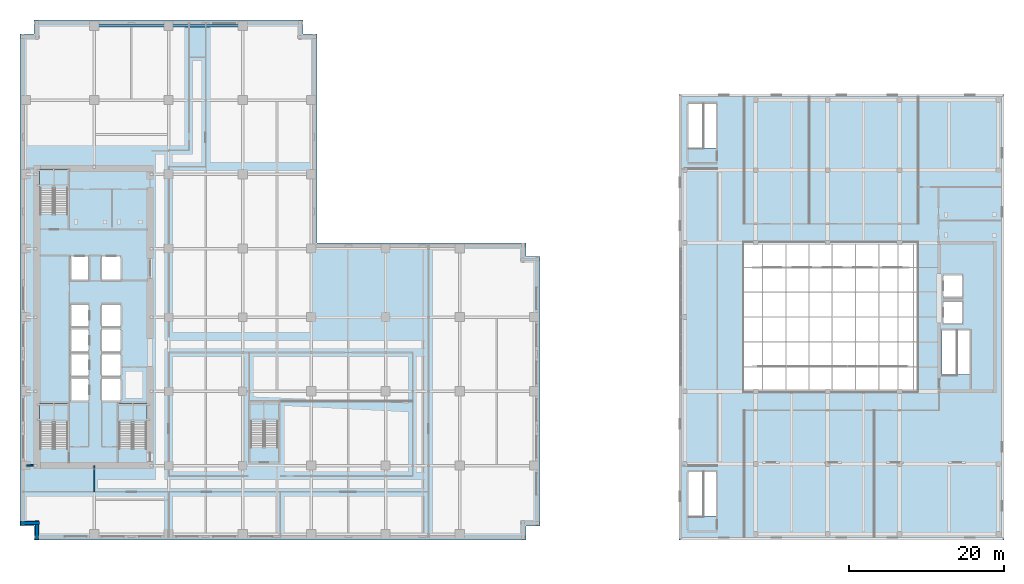
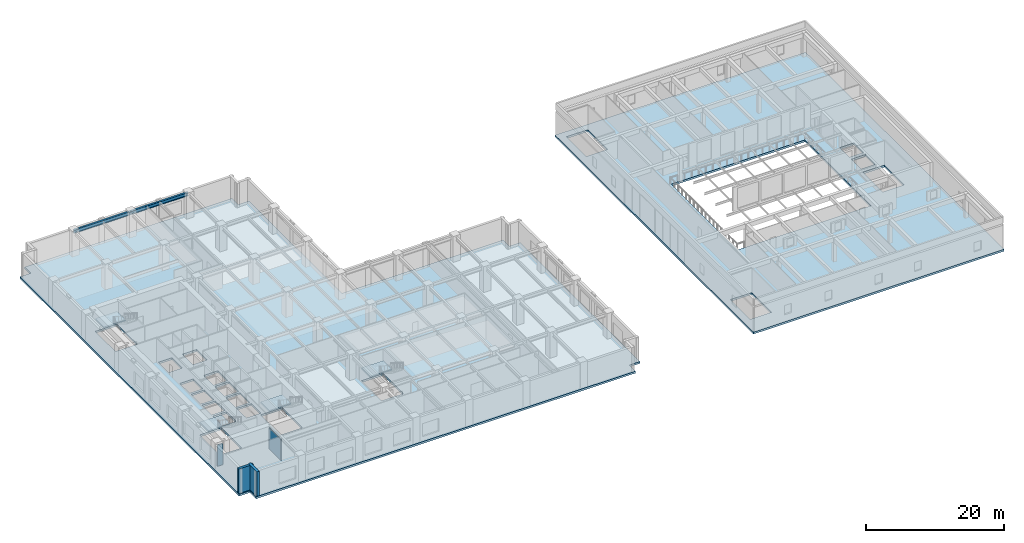
# One storey, part 4 of 21: 6 slabs, 4 walls, 2 beams, 4 elements without a shape of their own.
"""IFC4 building model written with IfcOpenShell, lengths in metres."""

from ifc_helpers import new_model, si_unit, direction, frame, frame_2d, origin, origin_2d, place, context, subcontext, project, spatial, polyline, rectangle, i_section, outline, extrude, material, layer, layer_set, material_profile, profile_set, type_object, element, aggregate, save


model = new_model("IFC4")

# Units and contexts
model_context = context("Model", 3, precision=1e-05, world=origin(), true_north=direction((0.0, 1.0)))
body_context = subcontext(model_context, "Body", "Model", "MODEL_VIEW")
ifc_project = project(units=[si_unit("LENGTHUNIT", "METRE"), si_unit("AREAUNIT", "SQUARE_METRE"), si_unit("VOLUMEUNIT", "CUBIC_METRE"), si_unit("PLANEANGLEUNIT", "RADIAN"), si_unit("MASSUNIT", "GRAM", prefix="KILO")], contexts=[model_context])

# Site, building, storey
site_placement = place(None, origin())
site = spatial("IfcSite", under=ifc_project, at=site_placement, CompositionType="ELEMENT")
building_placement = place(site_placement, origin())
building = spatial("IfcBuilding", under=site, at=building_placement, Name="Norrvale University Quadrangle", CompositionType="ELEMENT")
storey_placement = place(building_placement, frame((0.0, 0.0, 19.60009765625)))
storey = spatial("IfcBuildingStorey", under=building, at=storey_placement, Name="L04", CompositionType="ELEMENT", Elevation=19.60009765625)

# Beams
ifc_material_1 = material(Name="Steel 350W", Category="steel")
ifc_material_profile = material_profile(ifc_material_1, i_section(OverallWidth=0.324951171875, OverallDepth=0.615966796875, WebThickness=0.013916015625, FlangeThickness=0.021484375, FilletRadius=0.01611328125, at=origin_2d()), Name="Steel 350W")
ifc_profile_set = profile_set([ifc_material_profile], Name="Steel 350W")
beam_type = type_object("IfcBeamType", Name="Beam Belt W610x174", PredefinedType="BEAM", material=ifc_profile_set)
beam_1_placement = place(storey_placement, frame((9.60009765625, 66.449951171875, 4.031982421875), z_axis=(1.0, 0.0, 0.0), x_axis=(0.0, 1.0, 0.0)))
element("IfcBeam", 1, at=beam_1_placement, inside=storey, type_object=beam_type, Name="Beam Belt W610x174 BM-L04-GX031", PredefinedType="BEAM", context=body_context, shape_type="SweptSolid", body=[
    extrude(i_section(OverallWidth=0.324951171875, OverallDepth=0.615966796875, WebThickness=0.013916015625, FlangeThickness=0.021484375, FilletRadius=0.01611328125, at=origin_2d()), origin(), (0.0, 0.0, 1.0), 9.599853515625),
])
beam_2_placement = place(storey_placement, frame((19.199951171875, 66.449951171875, 4.031982421875), z_axis=(1.0, 0.0, 0.0), x_axis=(0.0, 1.0, 0.0)))
element("IfcBeam", 2, at=beam_2_placement, inside=storey, type_object=beam_type, Name="Beam Belt W610x174 BM-L04-GX032", PredefinedType="BEAM", context=body_context, shape_type="SweptSolid", body=[
    extrude(i_section(OverallWidth=0.324951171875, OverallDepth=0.615966796875, WebThickness=0.013916015625, FlangeThickness=0.021484375, FilletRadius=0.01611328125, at=origin_2d()), origin(), (0.0, 0.0, 1.0), 9.60009765625),
])

# Stair, slab
ifc_material_2 = material(Name="Concrete C40/50", Category="concrete")
stair_type = type_object("IfcStairType", Name="Stair Tower Pod 4600", PredefinedType="TWO_STRAIGHT_RUN_STAIR", material=ifc_material_2)
stair_1_placement = place(storey_placement, origin())
stair_1 = element("IfcStair", 3, at=stair_1_placement, inside=storey, type_object=stair_type, Name="Exit Stair ST-01 L04", PredefinedType="TWO_STRAIGHT_RUN_STAIR")
ifc_layer_1 = layer(ifc_material_2, 0.199951171875, Name="Concrete C40/50")
ifc_layer_set_1 = layer_set([ifc_layer_1], Name="Concrete C40/50")
slab_type_1 = type_object("IfcSlabType", Name="Slab Landing 200", PredefinedType="LANDING", material=ifc_layer_set_1)
slab_1_placement = place(storey_placement, frame((0.0, 0.0, 2.099853515625)))
slab_1 = element("IfcSlab", 4, at=slab_1_placement, type_object=slab_type_1, Name="Exit Stair ST-01 L04 Mid Landing", PredefinedType="LANDING", context=body_context, shape_type="SweptSolid", body=[
    extrude(outline(polyline([(2.550048828125, 15.110107421875), (6.199951171875, 15.110107421875), (6.199951171875, 17.64990234375), (2.550048828125, 17.64990234375), (2.550048828125, 15.110107421875)])), origin(), (0.0, 0.0, 1.0), 0.199951171875),
])
aggregate(stair_1, [slab_1])

stair_2_placement = place(storey_placement, origin())
stair_2 = element("IfcStair", 5, at=stair_2_placement, inside=storey, type_object=stair_type, Name="Exit Stair ST-02 L04", PredefinedType="TWO_STRAIGHT_RUN_STAIR")
slab_2_placement = place(storey_placement, frame((0.0, 0.0, 2.099853515625)))
slab_2 = element("IfcSlab", 6, at=slab_2_placement, type_object=slab_type_1, Name="Exit Stair ST-02 L04 Mid Landing", PredefinedType="LANDING", context=body_context, shape_type="SweptSolid", body=[
    extrude(outline(polyline([(2.550048828125, 45.409912109375), (6.199951171875, 45.409912109375), (6.199951171875, 47.949951171875), (2.550048828125, 47.949951171875), (2.550048828125, 45.409912109375)])), origin(), (0.0, 0.0, 1.0), 0.199951171875),
])
aggregate(stair_2, [slab_2])

stair_3_placement = place(storey_placement, origin())
stair_3 = element("IfcStair", 7, at=stair_3_placement, inside=storey, type_object=stair_type, Name="Exit Stair ST-03 L04", PredefinedType="TWO_STRAIGHT_RUN_STAIR")
slab_3_placement = place(storey_placement, frame((0.0, 0.0, 2.099853515625)))
slab_3 = element("IfcSlab", 8, at=slab_3_placement, type_object=slab_type_1, Name="Exit Stair ST-03 L04 Mid Landing", PredefinedType="LANDING", context=body_context, shape_type="SweptSolid", body=[
    extrude(outline(polyline([(12.75, 15.110107421875), (16.39990234375, 15.110107421875), (16.39990234375, 17.64990234375), (12.75, 17.64990234375), (12.75, 15.110107421875)])), origin(), (0.0, 0.0, 1.0), 0.199951171875),
])
aggregate(stair_3, [slab_3])

stair_4_placement = place(storey_placement, origin())
stair_4 = element("IfcStair", 9, at=stair_4_placement, inside=storey, type_object=stair_type, Name="Exit Stair ST-04 L04", PredefinedType="TWO_STRAIGHT_RUN_STAIR")
slab_4_placement = place(storey_placement, frame((0.0, 0.0, 2.099853515625)))
slab_4 = element("IfcSlab", 10, at=slab_4_placement, type_object=slab_type_1, Name="Exit Stair ST-04 L04 Mid Landing", PredefinedType="LANDING", context=body_context, shape_type="SweptSolid", body=[
    extrude(outline(polyline([(29.75, 15.260009765625), (33.39990234375, 15.260009765625), (33.39990234375, 17.800048828125), (29.75, 17.800048828125), (29.75, 15.260009765625)])), origin(), (0.0, 0.0, 1.0), 0.199951171875),
])
aggregate(stair_4, [slab_4])

# Slabs
ifc_layer_2 = layer(ifc_material_2, 0.35009765625, Name="Concrete C40/50")
ifc_layer_set_2 = layer_set([ifc_layer_2], Name="Concrete C40/50")
slab_type_2 = type_object("IfcSlabType", Name="Slab Lib Stack 350", PredefinedType="FLOOR", material=ifc_layer_set_2)
slab_5_placement = place(storey_placement, frame((0.0, 0.0, -0.35009765625)))
element("IfcSlab", 11, at=slab_5_placement, inside=storey, type_object=slab_type_2, Name="Central Library L04 Floor Slab", PredefinedType="FLOOR", context=body_context, shape_type="SweptSolid", body=[
    extrude(outline(polyline([(85.199951171875, 0.0), (127.199951171875, 0.0), (127.199951171875, 57.60009765625), (85.199951171875, 57.60009765625), (85.199951171875, 0.0)]), holes=[polyline([(119.199951171875, 21.360107421875), (122.800048828125, 21.360107421875), (122.800048828125, 27.10009765625), (119.199951171875, 27.10009765625), (119.199951171875, 21.360107421875)]), polyline([(86.39990234375, 3.06005859375), (90.0, 3.06005859375), (90.0, 8.800048828125), (86.39990234375, 8.800048828125), (86.39990234375, 3.06005859375)]), polyline([(86.39990234375, 50.659912109375), (90.0, 50.659912109375), (90.0, 56.39990234375), (86.39990234375, 56.39990234375), (86.39990234375, 50.659912109375)]), polyline([(119.39990234375, 28.0), (121.800048828125, 28.0), (121.800048828125, 30.800048828125), (119.39990234375, 30.800048828125), (119.39990234375, 28.0)]), polyline([(119.39990234375, 31.39990234375), (121.800048828125, 31.39990234375), (121.800048828125, 34.199951171875), (119.39990234375, 34.199951171875), (119.39990234375, 31.39990234375)]), polyline([(93.60009765625, 19.199951171875), (116.0, 19.199951171875), (116.0, 38.39990234375), (93.60009765625, 38.39990234375), (93.60009765625, 19.199951171875)])]), origin(), (0.0, 0.0, 1.0), 0.35009765625),
])
ifc_layer_3 = layer(ifc_material_2, 0.340087890625, Name="Concrete C40/50")
ifc_layer_set_3 = layer_set([ifc_layer_3], Name="Concrete C40/50")
slab_type_3 = type_object("IfcSlabType", Name="Slab Podium 340", PredefinedType="FLOOR", material=ifc_layer_set_3)
slab_6_placement = place(storey_placement, frame((0.0, 0.0, -0.340087890625)))
element("IfcSlab", 12, at=slab_6_placement, inside=storey, type_object=slab_type_3, Name="Tower L04 Floor Slab", PredefinedType="FLOOR", context=body_context, shape_type="SweptSolid", body=[
    extrude(outline(polyline([(1.800048828125, 0.0), (65.39990234375, 0.0), (65.39990234375, 1.800048828125), (67.199951171875, 1.800048828125), (67.199951171875, 36.60009765625), (65.39990234375, 36.60009765625), (65.39990234375, 38.39990234375), (38.39990234375, 38.39990234375), (38.39990234375, 65.39990234375), (36.60009765625, 65.39990234375), (36.60009765625, 67.199951171875), (1.800048828125, 67.199951171875), (1.800048828125, 65.39990234375), (0.0, 65.39990234375), (0.0, 1.800048828125), (1.800048828125, 1.800048828125), (1.800048828125, 0.0)]), holes=[polyline([(2.550048828125, 11.81005859375), (6.199951171875, 11.81005859375), (6.199951171875, 17.64990234375), (2.550048828125, 17.64990234375), (2.550048828125, 11.81005859375)]), polyline([(2.550048828125, 42.110107421875), (6.199951171875, 42.110107421875), (6.199951171875, 47.949951171875), (2.550048828125, 47.949951171875), (2.550048828125, 42.110107421875)]), polyline([(12.75, 11.81005859375), (16.39990234375, 11.81005859375), (16.39990234375, 17.64990234375), (12.75, 17.64990234375), (12.75, 11.81005859375)]), polyline([(29.75, 11.9599609375), (33.39990234375, 11.9599609375), (33.39990234375, 17.800048828125), (29.75, 17.800048828125), (29.75, 11.9599609375)]), polyline([(6.60009765625, 18.0), (8.85009765625, 18.0), (8.85009765625, 20.800048828125), (6.60009765625, 20.800048828125), (6.60009765625, 18.0)]), polyline([(6.60009765625, 21.199951171875), (8.85009765625, 21.199951171875), (8.85009765625, 24.0), (6.60009765625, 24.0), (6.60009765625, 21.199951171875)]), polyline([(6.60009765625, 24.39990234375), (8.85009765625, 24.39990234375), (8.85009765625, 27.199951171875), (6.60009765625, 27.199951171875), (6.60009765625, 24.39990234375)]), polyline([(6.60009765625, 27.60009765625), (8.85009765625, 27.60009765625), (8.85009765625, 30.39990234375), (6.60009765625, 30.39990234375), (6.60009765625, 27.60009765625)]), polyline([(10.60009765625, 18.0), (13.0, 18.0), (13.0, 20.800048828125), (10.60009765625, 20.800048828125), (10.60009765625, 18.0)]), polyline([(10.60009765625, 21.199951171875), (13.0, 21.199951171875), (13.0, 24.0), (10.60009765625, 24.0), (10.60009765625, 21.199951171875)]), polyline([(10.60009765625, 24.39990234375), (13.0, 24.39990234375), (13.0, 27.199951171875), (10.60009765625, 27.199951171875), (10.60009765625, 24.39990234375)]), polyline([(10.60009765625, 27.60009765625), (13.0, 27.60009765625), (13.0, 30.39990234375), (10.60009765625, 30.39990234375), (10.60009765625, 27.60009765625)]), polyline([(6.60009765625, 33.60009765625), (8.85009765625, 33.60009765625), (8.85009765625, 36.60009765625), (6.60009765625, 36.60009765625), (6.60009765625, 33.60009765625)]), polyline([(10.60009765625, 33.60009765625), (13.0, 33.60009765625), (13.0, 36.60009765625), (10.60009765625, 36.60009765625), (10.60009765625, 33.60009765625)])]), origin(), (0.0, 0.0, 1.0), 0.340087890625),
])

# Walls
ifc_material_3 = material(Name="Fire-Rated Gypsum Stud Partition")
ifc_layer_4 = layer(ifc_material_3, 0.14990234375, Name="Fire-Rated Gypsum Stud Partition")
ifc_layer_set_4 = layer_set([ifc_layer_4], Name="Fire-Rated Gypsum Stud Partition")
wall_type_1 = type_object("IfcWallType", Name="Wall Gypsum Corridor 150", PredefinedType="PARTITIONING", material=ifc_layer_set_4)
wall_1_placement = place(storey_placement, frame((9.60009765625, 6.199951171875, 0.0), z_axis=(0.0, 0.0, 1.0), x_axis=(0.0, 1.0, 0.0)))
element("IfcWall", 13, at=wall_1_placement, inside=storey, type_object=wall_type_1, Name="Interior Partition WL-L04-CSW-END", PredefinedType="PARTITIONING", context=body_context, shape_type="SweptSolid", body=[
    extrude(rectangle(XDim=3.400146484375, YDim=0.14990234375, at=frame_2d((1.7001953125, 0.0))), origin(), (0.0, 0.0, 1.0), 3.723876953125),
])
ifc_material_4 = material(Name="Concrete Blockwork 20 MPa Rated Wall", Category="masonry")
ifc_layer_5 = layer(ifc_material_4, 0.199951171875, Name="Concrete Blockwork 20 MPa Rated Wall")
ifc_layer_set_5 = layer_set([ifc_layer_5], Name="Concrete Blockwork 20 MPa Rated Wall")
wall_type_2 = type_object("IfcWallType", Name="Wall Lobby 200", PredefinedType="SOLIDWALL", material=ifc_layer_set_5)
wall_2_placement = place(storey_placement, frame((0.85009765625, 9.60009765625, 0.0), z_axis=(0.0, 0.0, 1.0), x_axis=(1.0, 0.0, 0.0)))
element("IfcWall", 14, at=wall_2_placement, inside=storey, type_object=wall_type_2, Name="Interior Partition WL-L04-CWRET-S", PredefinedType="SOLIDWALL", context=body_context, shape_type="SweptSolid", body=[
    extrude(rectangle(XDim=0.89501953125, YDim=0.199951171875, at=frame_2d((0.447509765625, 0.0))), origin(), (0.0, 0.0, 1.0), 3.723876953125),
])
ifc_material_5 = material(Name="Red Manganese Brick Masonry", Category="masonry")
ifc_layer_6 = layer(ifc_material_5, 0.39990234375, Name="Red Manganese Brick Masonry")
ifc_layer_set_6 = layer_set([ifc_layer_6], Name="Red Manganese Brick Masonry")
wall_type_3 = type_object("IfcWallType", Name="Wall Red Brick 400", PredefinedType="SOLIDWALL", material=ifc_layer_set_6)
for number, where, z_axis, x_axis, name in (
    (15, (0.0400390625, 2.179931640625, 0.0), (0.0, 0.0, 1.0), (1.0, 0.0, 0.0), "Exterior Brick Facade Wall L04-15.1"),
    (16, (2.179931640625, 2.52001953125, 0.0), (0.0, 0.0, 1.0), (0.0, -1.0, 0.0), "Exterior Brick Facade Wall L04-16.1"),
):
    element("IfcWall", number, at=place(storey_placement, frame(where, z_axis=z_axis, x_axis=x_axis)), inside=storey, type_object=wall_type_3, Name=name, PredefinedType="SOLIDWALL", context=body_context, shape_type="SweptSolid", body=[
        extrude(rectangle(XDim=2.47998046875, YDim=0.39990234375, at=frame_2d((1.239990234375, 0.0))), origin(), (0.0, 0.0, 1.0), 4.33984375),
    ])

save(model, "model.ifc")
